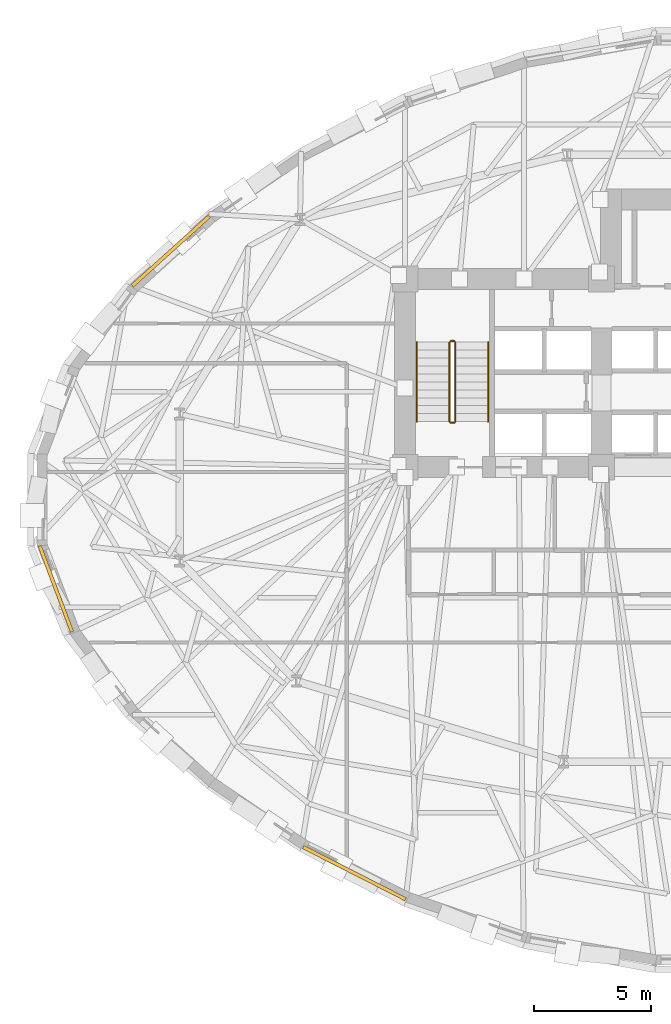
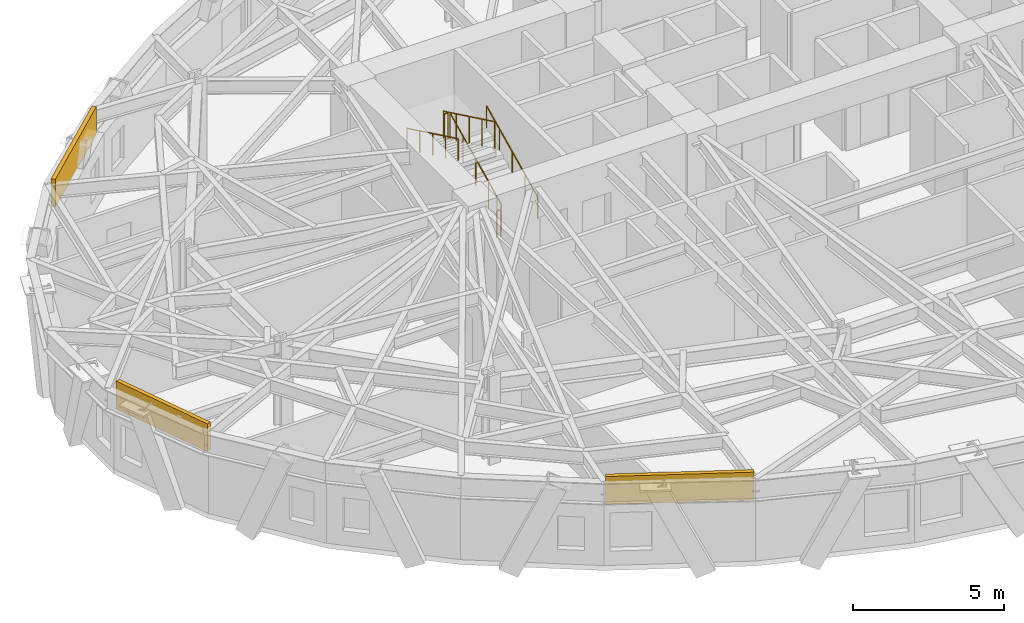
# One storey, part 11 of 14: 6 railings, 3 coverings.
"""IFC4 building model written with IfcOpenShell, lengths in metres."""

from ifc_helpers import new_model, si_unit, direction, frame, origin, origin_2d, place, context, subcontext, project, spatial, rectangle, circle, extrude, material, layer, layer_set, type_object, element, save


model = new_model("IFC4")

# Units and contexts
model_context = context("Model", 3, precision=1e-05, world=origin(), true_north=direction((0.0, 1.0)))
body_context = subcontext(model_context, "Body", "Model", "MODEL_VIEW")
ifc_project = project(units=[si_unit("LENGTHUNIT", "METRE"), si_unit("AREAUNIT", "SQUARE_METRE"), si_unit("VOLUMEUNIT", "CUBIC_METRE"), si_unit("PLANEANGLEUNIT", "RADIAN"), si_unit("MASSUNIT", "GRAM", prefix="KILO")], contexts=[model_context])

# Site, building, storey
site_placement = place(None, origin())
site = spatial("IfcSite", under=ifc_project, at=site_placement, CompositionType="ELEMENT")
building_placement = place(site_placement, origin())
building = spatial("IfcBuilding", under=site, at=building_placement, Name="Keldmark Tower", CompositionType="ELEMENT")
storey_placement = place(building_placement, frame((0.0, 0.0, 63.0)))
storey = spatial("IfcBuildingStorey", under=building, at=storey_placement, Name="L16", CompositionType="ELEMENT", Elevation=63.0)

# Coverings
ifc_material_1 = material(Name="Honed Kasota Buff Dolomitic Limestone", Category="masonry")
ifc_layer = layer(ifc_material_1, 0.074951171875)
ifc_layer_set = layer_set([ifc_layer], Name="Honed Kasota Buff Dolomitic Limestone")
covering_type = type_object("IfcCoveringType", Name="Kasota Buff Limestone Spandrel Cladding Band", PredefinedType="CLADDING", material=ifc_layer_set)
covering_1_placement = place(storey_placement, frame((-23.630859375, 10.64501953125, 2.453125), z_axis=(0.0, 0.0, 1.0), x_axis=(-0.7423618559, -0.669999160377, 0.0)))
element("IfcCovering", 1, at=covering_1_placement, inside=storey, type_object=covering_type, Name="L16 Kasota Limestone Spandrel Band 13", PredefinedType="CLADDING", context=body_context, shape_type="SweptSolid", body=[
    extrude(rectangle(XDim=4.428955078125, YDim=0.14990234375, at=origin_2d()), origin(), (0.0, 0.0, 1.0), 1.126953125),
])
covering_2_placement = place(storey_placement, frame((-28.544921875, -3.814208984375, 2.453125), z_axis=(0.0, 0.0, 1.0), x_axis=(0.352789032583, -0.935702890072, 0.0)))
element("IfcCovering", 2, at=covering_2_placement, inside=storey, type_object=covering_type, Name="L16 Kasota Limestone Spandrel Band 17", PredefinedType="CLADDING", context=body_context, shape_type="SweptSolid", body=[
    extrude(rectangle(XDim=3.9248046875, YDim=0.14990234375, at=origin_2d()), origin(), (0.0, 0.0, 1.0), 1.126953125),
])
covering_3_placement = place(storey_placement, frame((-15.7705078125, -15.97412109375, 2.453125), z_axis=(0.0, 0.0, 1.0), x_axis=(0.891069904535, -0.453866087335, 0.0)))
element("IfcCovering", 3, at=covering_3_placement, inside=storey, type_object=covering_type, Name="L16 Kasota Limestone Spandrel Band 21", PredefinedType="CLADDING", context=body_context, shape_type="SweptSolid", body=[
    extrude(rectangle(XDim=4.9248046875, YDim=0.14990234375, at=origin_2d()), origin(), (0.0, 0.0, 1.0), 1.126953125),
])

# Railings
ifc_material_2 = material(Name="Painted Steel ASTM A500 Grade B", Category="steel")
railing_type_1 = type_object("IfcRailingType", Name="Painted Steel Stair Well Guard 1100 mm", PredefinedType="GUARDRAIL", material=ifc_material_2)
railing_1_placement = place(storey_placement, frame((-11.449951171875, 3.35009765625, 0.16357421875)))
element("IfcRailing", 4, at=railing_1_placement, inside=storey, type_object=railing_type_1, Name="L16 ST1 stair guard 1", PredefinedType="GUARDRAIL", context=body_context, shape_type="SweptSolid", body=[
    extrude(circle(Radius=0.02392578125, at=origin_2d()), frame((0.0, 0.0, 1.076171875), z_axis=(0.0, 0.901055053782, 0.433704726806), x_axis=(-1.0, 0.0, 0.0)), (0.0, 0.0, 1.0), 3.773193359375),
    extrude(circle(Radius=0.02099609375, at=origin_2d()), origin(), (0.0, 0.0, 1.0), 1.052001953125),
    extrude(circle(Radius=0.02099609375, at=origin_2d()), frame((0.0, 0.85009765625, 0.4091796875)), (0.0, 0.0, 1.0), 1.052001953125),
    extrude(circle(Radius=0.02099609375, at=origin_2d()), frame((0.0, 1.699951171875, 0.818359375)), (0.0, 0.0, 1.0), 1.052001953125),
    extrude(circle(Radius=0.02099609375, at=origin_2d()), frame((0.0, 2.5498046875, 1.227294921875)), (0.0, 0.0, 1.0), 1.052001953125),
    extrude(circle(Radius=0.02099609375, at=origin_2d()), frame((0.0, 3.39990234375, 1.636474609375)), (0.0, 0.0, 1.0), 1.052001953125),
])
railing_2_placement = place(storey_placement, frame((-11.5, 6.800048828125, 1.800048828125)))
element("IfcRailing", 5, at=railing_2_placement, inside=storey, type_object=railing_type_1, Name="L16 ST1 stair guard 2", PredefinedType="GUARDRAIL", context=body_context, shape_type="SweptSolid", body=[
    extrude(circle(Radius=0.02392578125, at=origin_2d()), frame((0.0, 0.0, 1.076171875), z_axis=(-1.0, 0.0, 0.0), x_axis=(0.0, -1.0, 0.0)), (0.0, 0.0, 1.0), 0.14990234375),
    extrude(circle(Radius=0.02099609375, at=origin_2d()), origin(), (0.0, 0.0, 1.0), 1.052001953125),
    extrude(circle(Radius=0.02099609375, at=origin_2d()), frame((-0.14990234375, 0.0, 0.0)), (0.0, 0.0, 1.0), 1.052001953125),
])
railing_3_placement = place(storey_placement, frame((-11.699951171875, 6.75, 1.963623046875)))
element("IfcRailing", 6, at=railing_3_placement, inside=storey, type_object=railing_type_1, Name="L16 ST1 stair guard 3", PredefinedType="GUARDRAIL", context=body_context, shape_type="SweptSolid", body=[
    extrude(circle(Radius=0.02392578125, at=origin_2d()), frame((0.0, 0.0, 1.076171875), z_axis=(0.0, -0.901055053782, 0.433704726806), x_axis=(1.0, 0.0, 0.0)), (0.0, 0.0, 1.0), 3.773193359375),
    extrude(circle(Radius=0.02099609375, at=origin_2d()), origin(), (0.0, 0.0, 1.0), 1.052001953125),
    extrude(circle(Radius=0.02099609375, at=origin_2d()), frame((0.0, -0.85009765625, 0.4091796875)), (0.0, 0.0, 1.0), 1.052001953125),
    extrude(circle(Radius=0.02099609375, at=origin_2d()), frame((0.0, -1.699951171875, 0.818359375)), (0.0, 0.0, 1.0), 1.052001953125),
    extrude(circle(Radius=0.02099609375, at=origin_2d()), frame((0.0, -2.5498046875, 1.227294921875)), (0.0, 0.0, 1.0), 1.052001953125),
    extrude(circle(Radius=0.02099609375, at=origin_2d()), frame((0.0, -3.39990234375, 1.636474609375)), (0.0, 0.0, 1.0), 1.052001953125),
])
railing_4_placement = place(storey_placement, frame((-11.5, 3.300048828125, 0.0)))
element("IfcRailing", 7, at=railing_4_placement, inside=storey, type_object=railing_type_1, Name="L16 ST1 stair guard 4", PredefinedType="GUARDRAIL", context=body_context, shape_type="SweptSolid", body=[
    extrude(circle(Radius=0.02392578125, at=origin_2d()), frame((0.0, 0.0, 1.076171875), z_axis=(-1.0, 0.0, 0.0), x_axis=(0.0, -1.0, 0.0)), (0.0, 0.0, 1.0), 0.14990234375),
    extrude(circle(Radius=0.02099609375, at=origin_2d()), origin(), (0.0, 0.0, 1.0), 1.052001953125),
    extrude(circle(Radius=0.02099609375, at=origin_2d()), frame((-0.14990234375, 0.0, 0.0)), (0.0, 0.0, 1.0), 1.052001953125),
])
ifc_material_3 = material(Name="Stainless Steel AISI 316L", Category="steel")
railing_type_2 = type_object("IfcRailingType", Name="Stainless Steel Stair Handrail 900 mm", PredefinedType="HANDRAIL", material=ifc_material_3)
railing_5_placement = place(storey_placement, frame((-10.050048828125, 3.35009765625, 0.16357421875)))
element("IfcRailing", 8, at=railing_5_placement, inside=storey, type_object=railing_type_2, Name="L16 ST1 stair handrail 1", PredefinedType="HANDRAIL", context=body_context, shape_type="SweptSolid", body=[
    extrude(circle(Radius=0.02392578125, at=origin_2d()), frame((0.0, 0.0, 0.8759765625), z_axis=(0.0, 0.901055053782, 0.433704726806), x_axis=(-1.0, 0.0, 0.0)), (0.0, 0.0, 1.0), 3.773193359375),
    extrude(circle(Radius=0.02099609375, at=origin_2d()), origin(), (0.0, 0.0, 1.0), 0.851806640625),
    extrude(circle(Radius=0.02099609375, at=origin_2d()), frame((0.0, 0.85009765625, 0.4091796875)), (0.0, 0.0, 1.0), 0.851806640625),
    extrude(circle(Radius=0.02099609375, at=origin_2d()), frame((0.0, 1.699951171875, 0.818359375)), (0.0, 0.0, 1.0), 0.851806640625),
    extrude(circle(Radius=0.02099609375, at=origin_2d()), frame((0.0, 2.5498046875, 1.227294921875)), (0.0, 0.0, 1.0), 0.851806640625),
    extrude(circle(Radius=0.02099609375, at=origin_2d()), frame((0.0, 3.39990234375, 1.636474609375)), (0.0, 0.0, 1.0), 0.851806640625),
])
railing_6_placement = place(storey_placement, frame((-13.10009765625, 6.75, 1.963623046875)))
element("IfcRailing", 9, at=railing_6_placement, inside=storey, type_object=railing_type_2, Name="L16 ST1 stair handrail 2", PredefinedType="HANDRAIL", context=body_context, shape_type="SweptSolid", body=[
    extrude(circle(Radius=0.02392578125, at=origin_2d()), frame((0.0, 0.0, 0.8759765625), z_axis=(0.0, -0.901055053782, 0.433704726806), x_axis=(1.0, 0.0, 0.0)), (0.0, 0.0, 1.0), 3.773193359375),
    extrude(circle(Radius=0.02099609375, at=origin_2d()), origin(), (0.0, 0.0, 1.0), 0.851806640625),
    extrude(circle(Radius=0.02099609375, at=origin_2d()), frame((0.0, -0.85009765625, 0.4091796875)), (0.0, 0.0, 1.0), 0.851806640625),
    extrude(circle(Radius=0.02099609375, at=origin_2d()), frame((0.0, -1.699951171875, 0.818359375)), (0.0, 0.0, 1.0), 0.851806640625),
    extrude(circle(Radius=0.02099609375, at=origin_2d()), frame((0.0, -2.5498046875, 1.227294921875)), (0.0, 0.0, 1.0), 0.851806640625),
    extrude(circle(Radius=0.02099609375, at=origin_2d()), frame((0.0, -3.39990234375, 1.636474609375)), (0.0, 0.0, 1.0), 0.851806640625),
])

save(model, "model.ifc")
